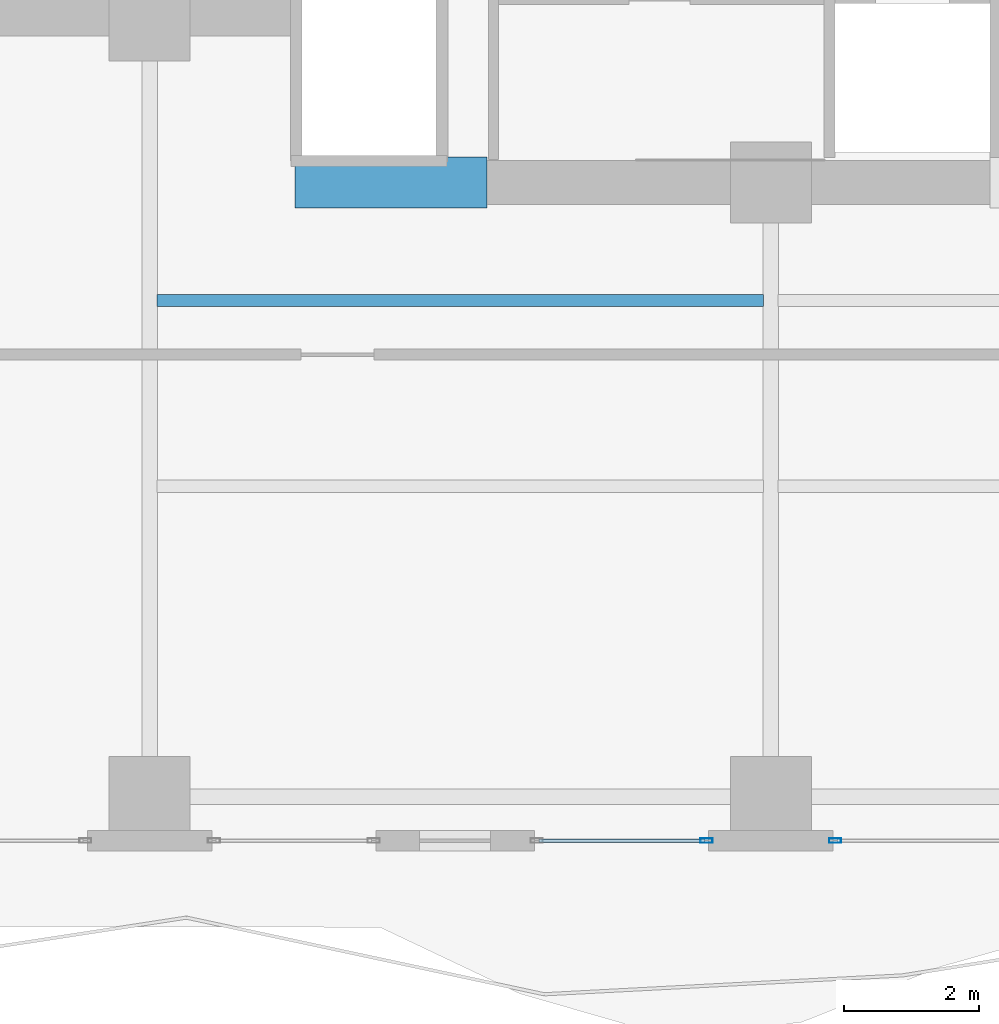
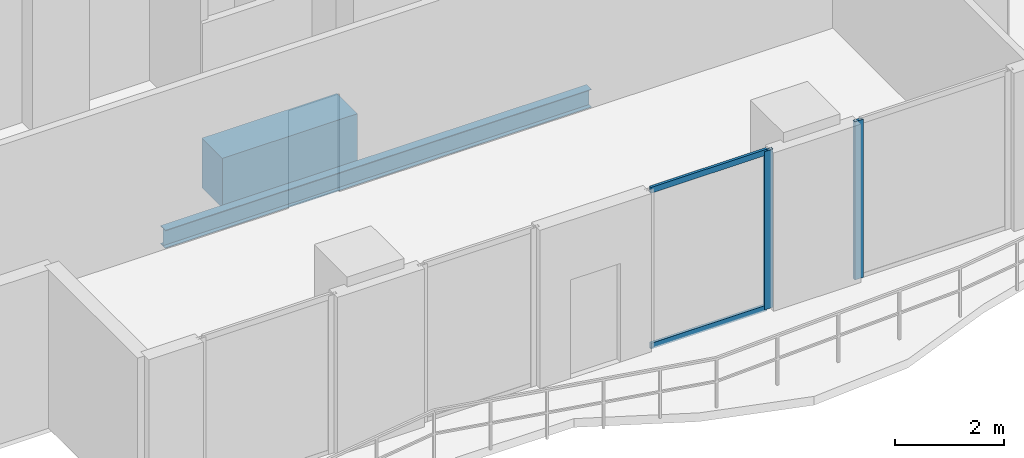
# One storey, part 5 of 33: 4 members, 2 beams, 2 elements without a shape of their own.
"""IFC4 building model written with IfcOpenShell, lengths in metres."""

from ifc_helpers import new_model, si_unit, direction, frame, origin, origin_2d, place, context, subcontext, project, spatial, rectangle, hollow_rectangle, i_section, extrude, material, layer, layer_set, material_profile, profile_set, type_object, element, aggregate, save


model = new_model("IFC4")

# Units and contexts
model_context = context("Model", 3, precision=1e-05, world=origin(), true_north=direction((0.0, 1.0)))
body_context = subcontext(model_context, "Body", "Model", "MODEL_VIEW")
ifc_project = project(units=[si_unit("LENGTHUNIT", "METRE"), si_unit("AREAUNIT", "SQUARE_METRE"), si_unit("VOLUMEUNIT", "CUBIC_METRE"), si_unit("PLANEANGLEUNIT", "RADIAN"), si_unit("MASSUNIT", "GRAM", prefix="KILO")], contexts=[model_context])

# Site, building, storey
site_placement = place(None, origin())
site = spatial("IfcSite", under=ifc_project, at=site_placement, CompositionType="ELEMENT")
building_placement = place(site_placement, origin())
building = spatial("IfcBuilding", under=site, at=building_placement, Name="Zuhayl Quay Hotel", CompositionType="ELEMENT")
storey_placement = place(building_placement, frame((0.0, 0.0, 211.14990234375)))
storey = spatial("IfcBuildingStorey", under=building, at=storey_placement, Name="L53", CompositionType="ELEMENT", Elevation=211.14990234375)

# Beams
ifc_material_1 = material(Name="Concrete C60/75", Category="concrete")
ifc_material_profile_1 = material_profile(ifc_material_1, rectangle(XDim=0.75, YDim=1.10009765625, at=origin_2d()), Name="RC750X1100")
ifc_profile_set_1 = profile_set([ifc_material_profile_1], Name="Concrete C60/75")
beam_type_1 = type_object("IfcBeamType", Name="BM_CB2_RC750", PredefinedType="T_BEAM", material=ifc_profile_set_1)
beam_1_placement = place(storey_placement, frame((-11.64990234375, 2.14990234375, -0.77001953125), z_axis=(1.0, 0.0, 0.0), x_axis=(0.0, 1.0, 0.0)))
element("IfcBeam", 1, at=beam_1_placement, inside=storey, type_object=beam_type_1, Name="L53 Core Coupling Beam SW", PredefinedType="T_BEAM", context=body_context, shape_type="SweptSolid", body=[
    extrude(rectangle(XDim=0.75, YDim=1.10009765625, at=origin_2d()), origin(), (0.0, 0.0, 1.0), 2.849853515625),
])
ifc_material_2 = material(Name="Steel ASTM A992 Grade 50", Category="steel")
ifc_material_profile_2 = material_profile(ifc_material_2, i_section(OverallWidth=0.177978515625, OverallDepth=0.406005859375, WebThickness=0.0078125, FlangeThickness=0.0126953125, at=origin_2d()), Name="W16X40")
ifc_profile_set_2 = profile_set([ifc_material_profile_2], Name="Steel ASTM A992 Grade 50")
beam_type_2 = type_object("IfcBeamType", Name="BM_J2B_W16X40", PredefinedType="JOIST", material=ifc_profile_set_2)
beam_2_placement = place(storey_placement, frame((-13.694091796875, 0.39990234375, -0.4228515625), z_axis=(1.0, 0.0, 0.0), x_axis=(0.0, 1.0, 0.0)))
element("IfcBeam", 2, at=beam_2_placement, inside=storey, type_object=beam_type_2, Name="L53 Floor Beam FJ_L53_8_1", PredefinedType="JOIST", context=body_context, shape_type="SweptSolid", body=[
    extrude(i_section(OverallWidth=0.177978515625, OverallDepth=0.406005859375, WebThickness=0.0078125, FlangeThickness=0.0126953125, at=origin_2d()), origin(), (0.0, 0.0, 1.0), 8.988037109375),
])

# Curtain wall, member
ifc_material_3 = material(Name="Anodised Aluminium 6063-T6", Category="aluminium")
ifc_layer = layer(ifc_material_3, 0.175048828125, Name="Anodised Aluminium 6063-T6", Category="aluminium")
ifc_layer_set = layer_set([ifc_layer], Name="Anodised Aluminium 6063-T6")
curtain_wall_type = type_object("IfcCurtainWallType", Name="CW_SYS_Z3", PredefinedType="USERDEFINED", material=ifc_layer_set)
curtain_wall_1_placement = place(storey_placement, origin())
curtain_wall_1 = element("IfcCurtainWall", 3, at=curtain_wall_1_placement, inside=storey, type_object=curtain_wall_type, Name="L53 Curtain Wall ENV_L53_S_CW4", ObjectType="UNITISED CURTAIN WALL", PredefinedType="USERDEFINED")
ifc_material_4 = material(Name="Black-anodised aluminium 6063-T6", Category="aluminium")
ifc_material_profile_3 = material_profile(ifc_material_4, hollow_rectangle(XDim=0.06494140625, YDim=0.179931640625, WallThickness=0.00341796875, at=origin_2d()), Name="ALU180X65")
ifc_profile_set_3 = profile_set([ifc_material_profile_3], Name="Black-anodised aluminium 6063-T6")
member_type_1 = type_object("IfcMemberType", Name="MB_CW_MUL_180", PredefinedType="MULLION", material=ifc_profile_set_3)
member_1_placement = place(storey_placement, frame((-3.6474609375, -7.60009765625, 0.0), z_axis=(0.0, 0.0, 1.0), x_axis=(0.0, -1.0, 0.0)))
member_1 = element("IfcMember", 4, at=member_1_placement, type_object=member_type_1, Name="CW-Z3 mullion 2", PredefinedType="MULLION", context=body_context, shape_type="SweptSolid", body=[
    extrude(hollow_rectangle(XDim=0.06494140625, YDim=0.179931640625, WallThickness=0.00341796875, at=origin_2d()), origin(), (0.0, 0.0, 1.0), 3.530029296875),
])
aggregate(curtain_wall_1, [member_1])

# Curtain wall, members
curtain_wall_2_placement = place(storey_placement, origin())
curtain_wall_2 = element("IfcCurtainWall", 5, at=curtain_wall_2_placement, inside=storey, type_object=curtain_wall_type, Name="L53 Curtain Wall ENV_L53_S_CW5", ObjectType="UNITISED CURTAIN WALL", PredefinedType="USERDEFINED")
member_2_placement = place(storey_placement, frame((-5.552490234375, -7.60009765625, 0.0), z_axis=(0.0, 0.0, 1.0), x_axis=(0.0, -1.0, 0.0)))
member_2 = element("IfcMember", 6, at=member_2_placement, type_object=member_type_1, Name="CW-Z3 mullion 1", PredefinedType="MULLION", context=body_context, shape_type="SweptSolid", body=[
    extrude(hollow_rectangle(XDim=0.06494140625, YDim=0.179931640625, WallThickness=0.00341796875, at=origin_2d()), origin(), (0.0, 0.0, 1.0), 3.530029296875),
])
ifc_material_profile_4 = material_profile(ifc_material_4, hollow_rectangle(XDim=0.054931640625, YDim=0.1298828125, WallThickness=0.0029296875, at=origin_2d()), Name="ALU130X55")
ifc_profile_set_4 = profile_set([ifc_material_profile_4], Name="Black-anodised aluminium 6063-T6")
member_type_2 = type_object("IfcMemberType", Name="MB_CW_TRN_130", PredefinedType="USERDEFINED", material=ifc_profile_set_4)
member_3_placement = place(storey_placement, frame((-5.5849609375, -7.60009765625, 0.027587890625), z_axis=(-1.0, 0.0, 0.0), x_axis=(0.0, -1.0, 0.0)))
member_3 = element("IfcMember", 7, at=member_3_placement, type_object=member_type_2, Name="CW-Z3 transom 1.1", ObjectType="TRANSOM", PredefinedType="USERDEFINED", context=body_context, shape_type="SweptSolid", body=[
    extrude(hollow_rectangle(XDim=0.054931640625, YDim=0.1298828125, WallThickness=0.0029296875, at=origin_2d()), origin(), (0.0, 0.0, 1.0), 2.449951171875),
])
member_4_placement = place(storey_placement, frame((-5.5849609375, -7.60009765625, 3.502685546875), z_axis=(-1.0, 0.0, 0.0), x_axis=(0.0, -1.0, 0.0)))
member_4 = element("IfcMember", 8, at=member_4_placement, type_object=member_type_2, Name="CW-Z3 transom 1.2", ObjectType="TRANSOM", PredefinedType="USERDEFINED", context=body_context, shape_type="SweptSolid", body=[
    extrude(hollow_rectangle(XDim=0.054931640625, YDim=0.1298828125, WallThickness=0.0029296875, at=origin_2d()), origin(), (0.0, 0.0, 1.0), 2.449951171875),
])
aggregate(curtain_wall_2, [member_2, member_3, member_4])

save(model, "model.ifc")
